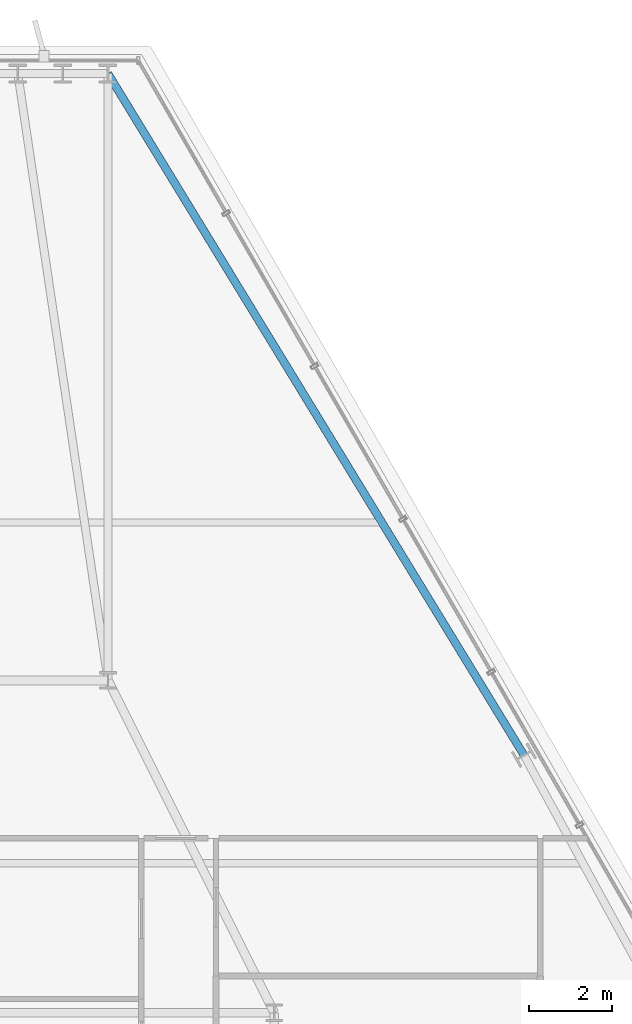
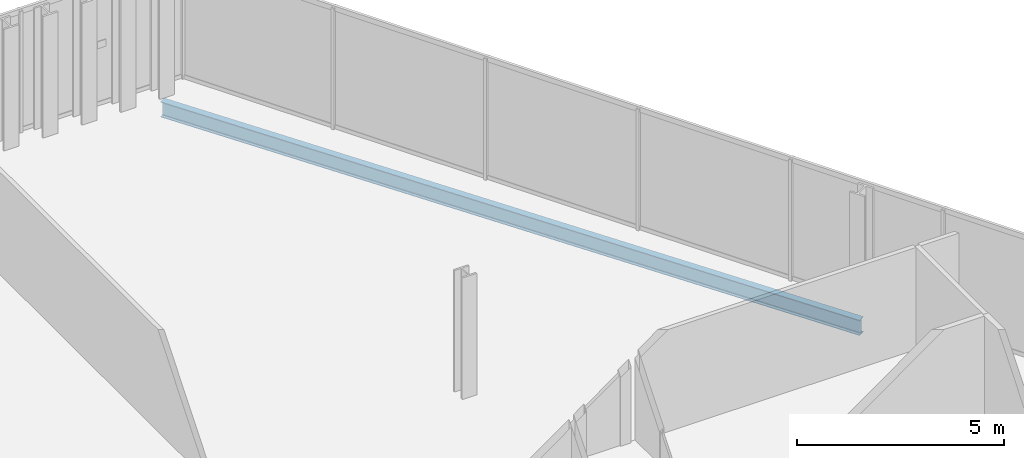
# One storey, part 24 of 34: 1 beam.
"""IFC4 building model written with IfcOpenShell, lengths in metres."""

from ifc_helpers import new_model, si_unit, direction, frame, origin, origin_2d, place, context, subcontext, project, spatial, i_section, extrude, material, material_profile, profile_set, type_object, element, save


model = new_model("IFC4")

# Units and contexts
model_context = context("Model", 3, precision=1e-05, world=origin(), true_north=direction((0.0, 1.0)))
body_context = subcontext(model_context, "Body", "Model", "MODEL_VIEW")
ifc_project = project(units=[si_unit("LENGTHUNIT", "METRE"), si_unit("AREAUNIT", "SQUARE_METRE"), si_unit("VOLUMEUNIT", "CUBIC_METRE"), si_unit("PLANEANGLEUNIT", "RADIAN"), si_unit("MASSUNIT", "GRAM", prefix="KILO")], contexts=[model_context])

# Site, building, storey
site_placement = place(None, origin())
site = spatial("IfcSite", under=ifc_project, at=site_placement, CompositionType="ELEMENT")
building_placement = place(site_placement, origin())
building = spatial("IfcBuilding", under=site, at=building_placement, Name="Ndaravel Arena Tower", CompositionType="ELEMENT")
storey_placement = place(building_placement, frame((0.0, 0.0, 191.60009765625)))
storey = spatial("IfcBuildingStorey", under=building, at=storey_placement, Name="L46", CompositionType="ELEMENT", Elevation=191.60009765625)

# Beam
ifc_material = material(Name="Steel S355", Category="steel")
ifc_material_profile = material_profile(ifc_material, i_section(OverallWidth=0.18994140625, OverallDepth=0.449951171875, WebThickness=0.009521484375, FlangeThickness=0.0146484375, FilletRadius=0.02099609375, at=origin_2d()), Name="IPE 450")
ifc_profile_set = profile_set([ifc_material_profile], Name="Steel S355")
beam_type = type_object("IfcBeamType", Name="BM-SPAN-IPE450", PredefinedType="SPANDREL", material=ifc_profile_set)
beam_placement = place(storey_placement, frame((55.810302734375, 29.39990234375, -0.445068359375), z_axis=(-0.521014769713, 0.853547661083, 0.0), x_axis=(-0.853547661083, -0.521014769713, 0.0)))
element("IfcBeam", 1, at=beam_placement, inside=storey, type_object=beam_type, Name="L46 Perimeter Spandrel Beam SP-10", PredefinedType="SPANDREL", context=body_context, shape_type="SweptSolid", body=[
    extrude(i_section(OverallWidth=0.18994140625, OverallDepth=0.449951171875, WebThickness=0.009521484375, FlangeThickness=0.0146484375, FilletRadius=0.02099609375, at=origin_2d()), origin(), (0.0, 0.0, 1.0), 19.220947265625),
])

save(model, "model.ifc")
